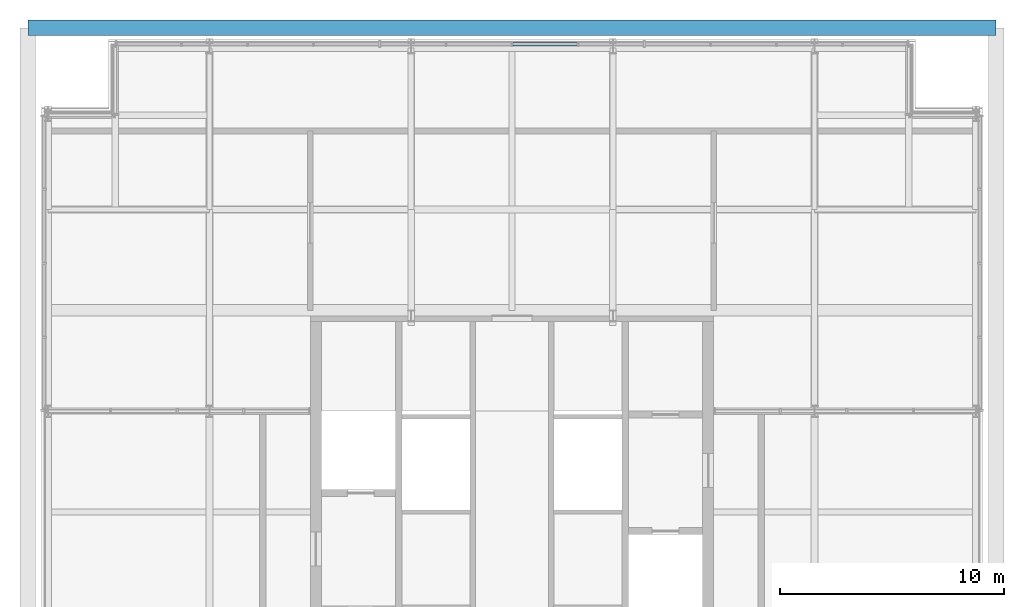
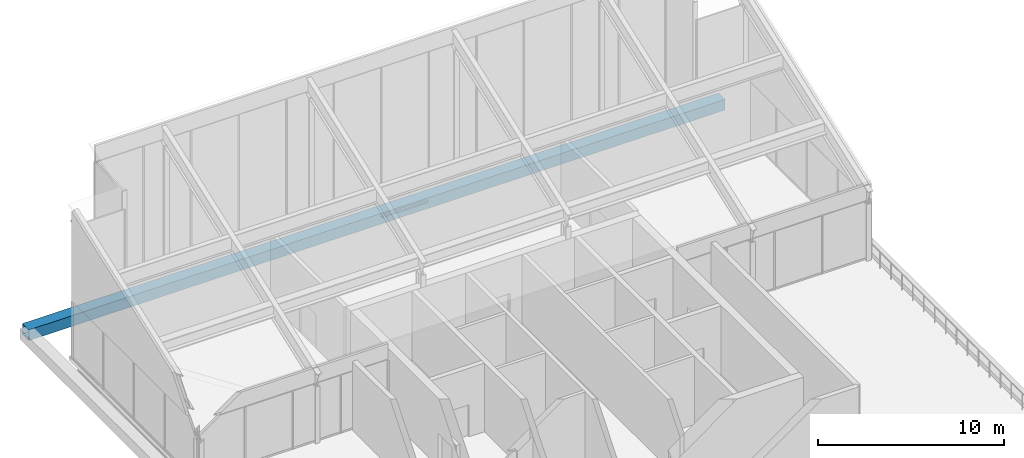
# One storey, part 6 of 10: 2 members, 1 element without a shape of its own.
"""IFC4 building model written with IfcOpenShell, lengths in metres."""

import ifcopenshell
import ifcopenshell.guid

model = None  # the IFC model being written
_history = None  # IfcOwnerHistory: only IFC2X3 demands one
_inside = {}  # id of a spatial element -> (the spatial element, [elements in it])
_under = {}  # id of a project, library or spatial element -> (it, [spatial elements below it])
_declared = {}  # id of a project -> (the project, [libraries it declares])
_typed = {}  # id of a type object -> (the type object, [elements of that type])
_made_of = {}  # id of a material, layer set ... -> (it, [elements and type objects made of it])


def new_model(schema):
    """Start an empty IFC model of exactly this schema.

    Asked for "IFC4X3", IfcOpenShell would pick the latest addendum, in which some entities
    have other attributes; the version numbers below select the first issue.
    IFC2X3 requires an IfcOwnerHistory on every rooted entity: one is made here for all.
    """
    global model, _history
    if schema == "IFC4X3":
        model = ifcopenshell.file(schema_version=(4, 3, 0, 0))
    else:
        model = ifcopenshell.file(schema=schema)
    _inside.clear()
    _under.clear()
    _declared.clear()
    _typed.clear()
    _made_of.clear()
    _history = None
    if model.schema == "IFC2X3":
        org = make("IfcOrganization", Name="unknown")
        user = make(
            "IfcPersonAndOrganization",
            ThePerson=make("IfcPerson", FamilyName="unknown"),
            TheOrganization=org,
        )
        app = make(
            "IfcApplication",
            ApplicationDeveloper=org,
            Version="unknown",
            ApplicationFullName="unknown",
            ApplicationIdentifier="unknown",
        )
        _history = make(
            "IfcOwnerHistory",
            OwningUser=user,
            OwningApplication=app,
            ChangeAction="ADDED",
            CreationDate=0,
        )
    return model


def make(cls, **values):
    """One entity of the class cls with the attributes given. An attribute that is None is left unset."""
    return model.create_entity(
        cls, **{name: value for name, value in values.items() if value is not None}
    )


def rooted(cls, **values):
    """An entity with a GlobalId (a new one), such as an element, a storey or a relation."""
    return make(cls, GlobalId=ifcopenshell.guid.new(), OwnerHistory=_history, **values)


def si_unit(unit_type, name, prefix=None):
    """IfcSIUnit, for example si_unit("LENGTHUNIT", "METRE", prefix="MILLI")."""
    return make("IfcSIUnit", UnitType=unit_type, Prefix=prefix, Name=name)


def assignment(units):
    """IfcUnitAssignment: the units of a project."""
    return None if units is None else make("IfcUnitAssignment", Units=units)


def point(xyz):
    """IfcCartesianPoint."""
    return None if xyz is None else make("IfcCartesianPoint", Coordinates=xyz)


def direction(xyz):
    """IfcDirection."""
    return None if xyz is None else make("IfcDirection", DirectionRatios=xyz)


def frame(location, z_axis=None, x_axis=None):
    """IfcAxis2Placement3D, a coordinate frame: its origin and axes. An axis left out is left unset."""
    return make(
        "IfcAxis2Placement3D",
        Location=point(location),
        Axis=direction(z_axis),
        RefDirection=direction(x_axis),
    )


def frame_2d(location, x_axis=None):
    """IfcAxis2Placement2D, a coordinate frame in the plane: its origin and x axis."""
    return make(
        "IfcAxis2Placement2D", Location=point(location), RefDirection=direction(x_axis)
    )


def origin():
    """The frame at (0, 0, 0) with its axes left unset."""
    return frame((0.0, 0.0, 0.0))


def origin_2d():
    """The frame at (0, 0) in the plane with its x axis left unset."""
    return frame_2d((0.0, 0.0))


def place(relative_to, where):
    """IfcLocalPlacement: puts the frame where relative to a parent placement (None: the world)."""
    return make(
        "IfcLocalPlacement", PlacementRelTo=relative_to, RelativePlacement=where
    )


def context(
    kind, dimensions, precision=None, world=None, true_north=None, identifier=None
):
    """IfcGeometricRepresentationContext, for example the 3D "Model" context."""
    return make(
        "IfcGeometricRepresentationContext",
        ContextIdentifier=identifier,
        ContextType=kind,
        CoordinateSpaceDimension=dimensions,
        Precision=precision,
        WorldCoordinateSystem=world,
        TrueNorth=true_north,
    )


def subcontext(parent, identifier, kind, view, scale=None):
    """IfcGeometricRepresentationSubContext, for example "Body" below "Model"."""
    return make(
        "IfcGeometricRepresentationSubContext",
        ContextIdentifier=identifier,
        ContextType=kind,
        ParentContext=parent,
        TargetScale=scale,
        TargetView=view,
    )


def project(units=None, contexts=None):
    """IfcProject with its units and contexts."""
    return rooted(
        "IfcProject",
        Name="project",
        RepresentationContexts=contexts,
        UnitsInContext=assignment(units),
    )


def spatial(cls, under=None, at=None, **own):
    """A site, building, storey or space (cls), placed at a placement, below another one or the project."""
    s = rooted(cls, ObjectPlacement=at, **own)
    if under is not None:
        _under.setdefault(under.id(), (under, []))[1].append(s)
    return s


def profile(cls, at=None, kind="AREA", **sizes):
    """A parametric profile (cls). Its sizes go by their IFC names, for example OverallWidth=200.0."""
    return make(cls, ProfileType=kind, Position=at, **sizes)


def rectangle(**sizes):
    """IfcRectangleProfileDef."""
    return profile("IfcRectangleProfileDef", **sizes)


def hollow_rectangle(**sizes):
    """IfcRectangleHollowProfileDef."""
    return profile("IfcRectangleHollowProfileDef", **sizes)


def extrude(swept, where, along, depth):
    """IfcExtrudedAreaSolid: the profile swept, set in the frame where, extruded along a direction by depth."""
    return make(
        "IfcExtrudedAreaSolid",
        SweptArea=swept,
        Position=where,
        ExtrudedDirection=direction(along),
        Depth=depth,
    )


def shape(context_of_items, identifier, shape_type, items):
    """IfcShapeRepresentation: the items that make up one representation, for example the "Body"."""
    return make(
        "IfcShapeRepresentation",
        ContextOfItems=context_of_items,
        RepresentationIdentifier=identifier,
        RepresentationType=shape_type,
        Items=items,
    )


def material(Name=None, Category=None):
    """IfcMaterial."""
    return make("IfcMaterial", Name=Name, Category=Category)


def layer(
    of_material, thickness, ventilated=None, Name=None, Category=None, Priority=None
):
    """IfcMaterialLayer: one layer of a wall or slab, of a material (None: an air gap)."""
    return make(
        "IfcMaterialLayer",
        Material=of_material,
        LayerThickness=thickness,
        IsVentilated=ventilated,
        Name=Name,
        Category=Category,
        Priority=Priority,
    )


def layer_set(layers, Name=None):
    """IfcMaterialLayerSet."""
    return make("IfcMaterialLayerSet", MaterialLayers=layers, LayerSetName=Name)


def material_profile(
    of_material, cross_section, Name=None, Category=None, Priority=None
):
    """IfcMaterialProfile: a cross section and its material."""
    return make(
        "IfcMaterialProfile",
        Name=Name,
        Material=of_material,
        Profile=cross_section,
        Priority=Priority,
        Category=Category,
    )


def profile_set(profiles, Name=None, composite=None):
    """IfcMaterialProfileSet."""
    return make(
        "IfcMaterialProfileSet",
        Name=Name,
        MaterialProfiles=profiles,
        CompositeProfile=composite,
    )


def made_of(thing, what):
    """Note that an element or type object is made of a material, layer set ...; save() writes the relation."""
    if what is not None:
        _made_of.setdefault(what.id(), (what, []))[1].append(thing)
    return thing


def type_object(cls, material=None, **own):
    """A type object (cls), such as IfcWallType, which elements share."""
    return made_of(rooted(cls, **own), material)


def element(
    cls,
    number,
    at=None,
    inside=None,
    cuts=None,
    type_object=None,
    material=None,
    context=None,
    identifier="Body",
    shape_type=None,
    held_by="IfcProductDefinitionShape",
    body=None,
    shapes=None,
    **own,
):
    """One element of the class cls, such as IfcWall. Its Tag is "e" and its number.

    at: its placement. inside: the storey or other place that contains it. cuts: it is an
    opening in that element (IfcRelVoidsElement). A single representation is given by context,
    identifier, shape_type and body (its items); several are given by shapes. held_by: the class
    of the entity that holds the representations. save() writes the other relations.
    """
    e = rooted(cls, Tag="e%d" % number, ObjectPlacement=at, **own)
    if body is not None:
        shapes = [shape(context, identifier, shape_type, body)]
    if shapes is not None:
        e.Representation = make(held_by, Representations=shapes)
    if inside is not None:
        _inside.setdefault(inside.id(), (inside, []))[1].append(e)
    if cuts is not None:
        rooted(
            "IfcRelVoidsElement", RelatingBuildingElement=cuts, RelatedOpeningElement=e
        )
    if type_object is not None:
        _typed.setdefault(type_object.id(), (type_object, []))[1].append(e)
    return made_of(e, material)


def aggregate(whole, parts):
    """IfcRelAggregates: a whole, such as a stair, and the parts it consists of."""
    return rooted("IfcRelAggregates", RelatingObject=whole, RelatedObjects=parts)


def save(model, path):
    """Write the relations noted so far, then the file.

    IfcRelAggregates (storeys below a building ...), IfcRelContainedInSpatialStructure (elements
    in a storey), IfcRelDefinesByType, IfcRelAssociatesMaterial and IfcRelDeclares: one each for
    every whole, place, type object, material and project.
    """
    for whole, parts in _under.values():
        aggregate(whole, parts)
    for where, things in _inside.values():
        rooted(
            "IfcRelContainedInSpatialStructure",
            RelatedElements=things,
            RelatingStructure=where,
        )
    for kind, things in _typed.values():
        rooted("IfcRelDefinesByType", RelatedObjects=things, RelatingType=kind)
    for what, things in _made_of.values():
        rooted("IfcRelAssociatesMaterial", RelatedObjects=things, RelatingMaterial=what)
    for by, libraries in _declared.values():
        rooted("IfcRelDeclares", RelatingContext=by, RelatedDefinitions=libraries)
    model.write(path)


model = new_model("IFC4")

# Units and contexts
model_context = context("Model", 3, precision=1e-05, world=origin(), true_north=direction((0.0, 1.0)))
body_context = subcontext(model_context, "Body", "Model", "MODEL_VIEW")
ifc_project = project(units=[si_unit("LENGTHUNIT", "METRE"), si_unit("AREAUNIT", "SQUARE_METRE"), si_unit("VOLUMEUNIT", "CUBIC_METRE"), si_unit("PLANEANGLEUNIT", "RADIAN"), si_unit("MASSUNIT", "GRAM", prefix="KILO")], contexts=[model_context])

# Site, building, storey
site_placement = place(None, origin())
site = spatial("IfcSite", under=ifc_project, at=site_placement, CompositionType="ELEMENT")
building_placement = place(site_placement, origin())
building = spatial("IfcBuilding", under=site, at=building_placement, Name="Malebo Sky Hospital", CompositionType="ELEMENT")
storey_placement = place(building_placement, frame((0.0, 0.0, 290.0)))
storey = spatial("IfcBuildingStorey", under=building, at=storey_placement, Name="RF", CompositionType="ELEMENT", Elevation=290.0)

# Curtain wall, member
ifc_material_1 = material(Name="Anodised aluminium, natural silver", Category="aluminium")
ifc_layer = layer(ifc_material_1, 0.25)
ifc_layer_set = layer_set([ifc_layer], Name="PENTHOUSE LOUVRE SCREEN")
curtain_wall_type = type_object("IfcCurtainWallType", Name="PENTHOUSE LOUVRE SCREEN", PredefinedType="NOTDEFINED", material=ifc_layer_set)
curtain_wall_placement = place(storey_placement, origin())
curtain_wall = element("IfcCurtainWall", 1, at=curtain_wall_placement, inside=storey, type_object=curtain_wall_type, Name="ROOF curtain wall N", PredefinedType="NOTDEFINED")
ifc_material_profile_1 = material_profile(ifc_material_1, rectangle(XDim=0.14990234375, YDim=0.10009765625, at=origin_2d()), Name="ALUMINIUM TRANSOM 150x100")
ifc_profile_set_1 = profile_set([ifc_material_profile_1], Name="Anodised aluminium, natural silver")
member_type_1 = type_object("IfcMemberType", Name="ALUMINIUM TRANSOM 150x100", PredefinedType="USERDEFINED", material=ifc_profile_set_1)
member_1_placement = place(storey_placement, frame((62.91259765625, 82.875, 0.050048828125), z_axis=(-1.0, 0.0, 0.0), x_axis=(0.0, -1.0, 0.0)))
member_1 = element("IfcMember", 2, at=member_1_placement, type_object=member_type_1, Name="Transom 6", ObjectType="TRANSOM", PredefinedType="USERDEFINED", context=body_context, shape_type="SweptSolid", body=[
    extrude(rectangle(XDim=0.14990234375, YDim=0.10009765625, at=origin_2d()), origin(), (0.0, 0.0, 1.0), 2.875),
])
aggregate(curtain_wall, [member_1])

# Member
ifc_material_2 = material(Name="Steel S460", Category="steel")
ifc_material_profile_2 = material_profile(ifc_material_2, hollow_rectangle(XDim=0.699951171875, YDim=0.699951171875, WallThickness=0.034912109375, at=origin_2d()), Name="BOX 700x700x35")
ifc_profile_set_2 = profile_set([ifc_material_profile_2], Name="Steel S460")
member_type_2 = type_object("IfcMemberType", Name="MEGA TIE BOX 700x700x35", PredefinedType="CHORD", material=ifc_profile_set_2)
member_2_placement = place(storey_placement, frame((81.60009765625, 83.60009765625, -0.39990234375), z_axis=(-1.0, 0.0, 0.0), x_axis=(0.0, -1.0, 0.0)))
element("IfcMember", 3, at=member_2_placement, inside=storey, type_object=member_type_2, Name="Mega tie DN RF", PredefinedType="CHORD", context=body_context, shape_type="SweptSolid", body=[
    extrude(hollow_rectangle(XDim=0.699951171875, YDim=0.699951171875, WallThickness=0.034912109375, at=origin_2d()), origin(), (0.0, 0.0, 1.0), 43.2001953125),
])

save(model, "model.ifc")
